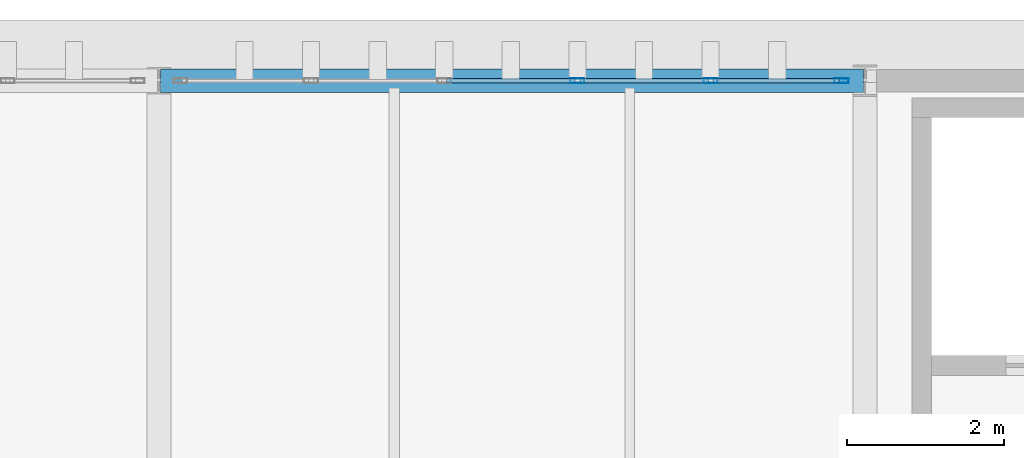
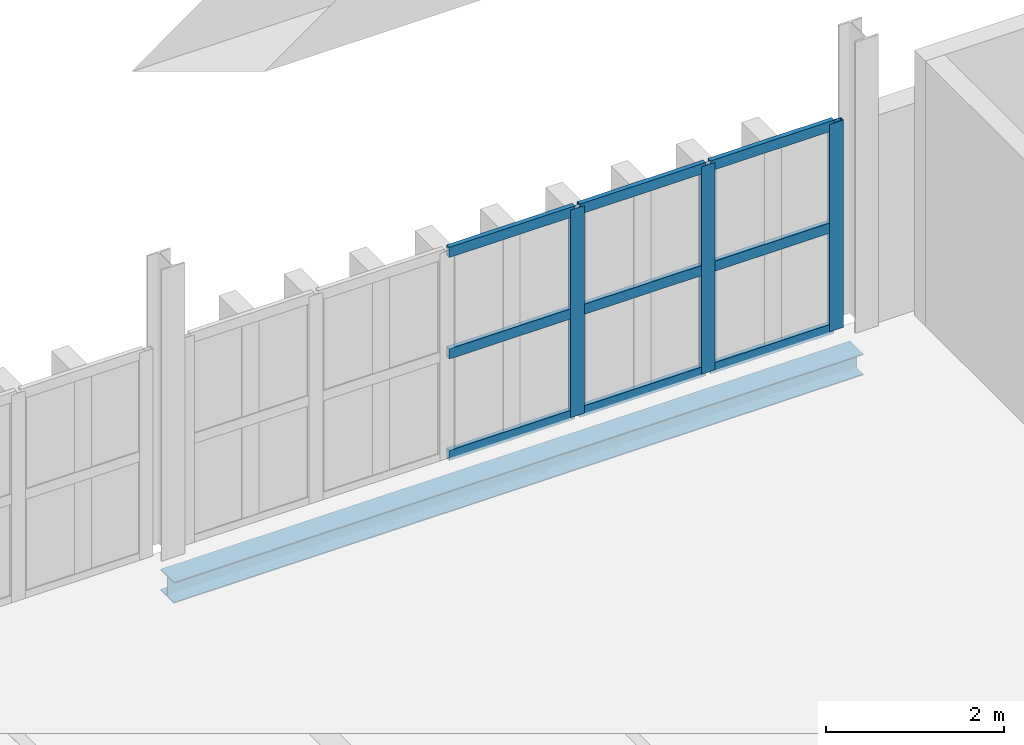
# One storey, part 73 of 102: 12 members, 1 beam, 1 element without a shape of its own.
"""IFC4 building model written with IfcOpenShell, lengths in metres."""

from ifc_helpers import new_model, si_unit, direction, frame, origin, origin_2d, place, context, subcontext, project, spatial, hollow_rectangle, i_section, extrude, material, layer, layer_set, material_profile, profile_set, type_object, element, aggregate, save


model = new_model("IFC4")

# Units and contexts
model_context = context("Model", 3, precision=1e-05, world=origin(), true_north=direction((0.0, 1.0)))
body_context = subcontext(model_context, "Body", "Model", "MODEL_VIEW")
ifc_project = project(units=[si_unit("LENGTHUNIT", "METRE"), si_unit("AREAUNIT", "SQUARE_METRE"), si_unit("VOLUMEUNIT", "CUBIC_METRE"), si_unit("PLANEANGLEUNIT", "RADIAN"), si_unit("MASSUNIT", "GRAM", prefix="KILO")], contexts=[model_context])

# Site, building, storey
site_placement = place(None, origin())
site = spatial("IfcSite", under=ifc_project, at=site_placement, CompositionType="ELEMENT")
building_placement = place(site_placement, origin())
building = spatial("IfcBuilding", under=site, at=building_placement, Name="Barlavento Convention Centre", CompositionType="ELEMENT")
storey_placement = place(building_placement, frame((0.0, 0.0, 22.800048828125)))
storey = spatial("IfcBuildingStorey", under=building, at=storey_placement, Name="L04", CompositionType="ELEMENT", Elevation=22.800048828125)

# Curtain wall, members
ifc_material_1 = material(Name="Powder-coated aluminium and Low-E glass", Category="aluminium")
ifc_layer = layer(ifc_material_1, 0.18505859375)
ifc_layer_set = layer_set([ifc_layer], Name="ARC-CW-CONF-L04")
curtain_wall_type = type_object("IfcCurtainWallType", Name="ARC-CW-CONF-L04", PredefinedType="NOTDEFINED", material=ifc_layer_set)
curtain_wall_placement = place(storey_placement, origin())
curtain_wall = element("IfcCurtainWall", 1, at=curtain_wall_placement, inside=storey, type_object=curtain_wall_type, Name="L04 unitised curtain wall CW09", PredefinedType="NOTDEFINED")
ifc_material_2 = material(Name="Powder-coated aluminium", Category="aluminium")
ifc_material_profile_1 = material_profile(ifc_material_2, hollow_rectangle(XDim=0.06005859375, YDim=0.179931640625, WallThickness=0.0048828125, at=origin_2d()), Name="AL-MULL 60x180x5")
ifc_profile_set_1 = profile_set([ifc_material_profile_1], Name="Powder-coated aluminium")
member_type_1 = type_object("IfcMemberType", Name="ARC-CWM-60X180", PredefinedType="MULLION", material=ifc_profile_set_1)
member_1_placement = place(storey_placement, frame((176.333984375, 99.0, 0.0), z_axis=(0.0, 0.0, 1.0), x_axis=(0.0, 1.0, 0.0)))
member_1 = element("IfcMember", 2, at=member_1_placement, type_object=member_type_1, Name="CW09 mullion 4", PredefinedType="MULLION", context=body_context, shape_type="SweptSolid", body=[
    extrude(hollow_rectangle(XDim=0.06005859375, YDim=0.179931640625, WallThickness=0.0048828125, at=origin_2d()), origin(), (0.0, 0.0, 1.0), 2.849853515625),
])
member_2_placement = place(storey_placement, frame((178.031982421875, 99.0, 0.0), z_axis=(0.0, 0.0, 1.0), x_axis=(0.0, 1.0, 0.0)))
member_2 = element("IfcMember", 3, at=member_2_placement, type_object=member_type_1, Name="CW09 mullion 5", PredefinedType="MULLION", context=body_context, shape_type="SweptSolid", body=[
    extrude(hollow_rectangle(XDim=0.06005859375, YDim=0.179931640625, WallThickness=0.0048828125, at=origin_2d()), origin(), (0.0, 0.0, 1.0), 2.849853515625),
])
member_3_placement = place(storey_placement, frame((179.699951171875, 99.0, 0.0), z_axis=(0.0, 0.0, 1.0), x_axis=(0.0, 1.0, 0.0)))
member_3 = element("IfcMember", 4, at=member_3_placement, type_object=member_type_1, Name="CW09 mullion 6", PredefinedType="MULLION", context=body_context, shape_type="SweptSolid", body=[
    extrude(hollow_rectangle(XDim=0.06005859375, YDim=0.179931640625, WallThickness=0.0048828125, at=origin_2d()), origin(), (0.0, 0.0, 1.0), 2.849853515625),
])
ifc_material_profile_2 = material_profile(ifc_material_2, hollow_rectangle(XDim=0.06005859375, YDim=0.139892578125, WallThickness=0.00390625, at=origin_2d()), Name="AL-TRAN 60x140x4")
ifc_profile_set_2 = profile_set([ifc_material_profile_2], Name="Powder-coated aluminium")
member_type_2 = type_object("IfcMemberType", Name="ARC-CWT-60X140", PredefinedType="USERDEFINED", material=ifc_profile_set_2)
member_4_placement = place(storey_placement, frame((174.666015625, 99.0, 0.030029296875), z_axis=(1.0, 0.0, 0.0), x_axis=(0.0, 1.0, 0.0)))
member_4 = element("IfcMember", 5, at=member_4_placement, type_object=member_type_2, Name="CW09 transom 3.1", ObjectType="TRANSOM", PredefinedType="USERDEFINED", context=body_context, shape_type="SweptSolid", body=[
    extrude(hollow_rectangle(XDim=0.06005859375, YDim=0.139892578125, WallThickness=0.00390625, at=origin_2d()), origin(), (0.0, 0.0, 1.0), 1.637939453125),
])
member_5_placement = place(storey_placement, frame((174.666015625, 99.0, 1.425048828125), z_axis=(1.0, 0.0, 0.0), x_axis=(0.0, 1.0, 0.0)))
member_5 = element("IfcMember", 6, at=member_5_placement, type_object=member_type_2, Name="CW09 transom 3.2", ObjectType="TRANSOM", PredefinedType="USERDEFINED", context=body_context, shape_type="SweptSolid", body=[
    extrude(hollow_rectangle(XDim=0.06005859375, YDim=0.139892578125, WallThickness=0.00390625, at=origin_2d()), origin(), (0.0, 0.0, 1.0), 1.637939453125),
])
member_6_placement = place(storey_placement, frame((174.666015625, 99.0, 2.820068359375), z_axis=(1.0, 0.0, 0.0), x_axis=(0.0, 1.0, 0.0)))
member_6 = element("IfcMember", 7, at=member_6_placement, type_object=member_type_2, Name="CW09 transom 3.3", ObjectType="TRANSOM", PredefinedType="USERDEFINED", context=body_context, shape_type="SweptSolid", body=[
    extrude(hollow_rectangle(XDim=0.06005859375, YDim=0.139892578125, WallThickness=0.00390625, at=origin_2d()), origin(), (0.0, 0.0, 1.0), 1.637939453125),
])
member_7_placement = place(storey_placement, frame((176.364013671875, 99.0, 0.030029296875), z_axis=(1.0, 0.0, 0.0), x_axis=(0.0, 1.0, 0.0)))
member_7 = element("IfcMember", 8, at=member_7_placement, type_object=member_type_2, Name="CW09 transom 4.1", ObjectType="TRANSOM", PredefinedType="USERDEFINED", context=body_context, shape_type="SweptSolid", body=[
    extrude(hollow_rectangle(XDim=0.06005859375, YDim=0.139892578125, WallThickness=0.00390625, at=origin_2d()), origin(), (0.0, 0.0, 1.0), 1.637939453125),
])
member_8_placement = place(storey_placement, frame((176.364013671875, 99.0, 1.425048828125), z_axis=(1.0, 0.0, 0.0), x_axis=(0.0, 1.0, 0.0)))
member_8 = element("IfcMember", 9, at=member_8_placement, type_object=member_type_2, Name="CW09 transom 4.2", ObjectType="TRANSOM", PredefinedType="USERDEFINED", context=body_context, shape_type="SweptSolid", body=[
    extrude(hollow_rectangle(XDim=0.06005859375, YDim=0.139892578125, WallThickness=0.00390625, at=origin_2d()), origin(), (0.0, 0.0, 1.0), 1.637939453125),
])
member_9_placement = place(storey_placement, frame((176.364013671875, 99.0, 2.820068359375), z_axis=(1.0, 0.0, 0.0), x_axis=(0.0, 1.0, 0.0)))
member_9 = element("IfcMember", 10, at=member_9_placement, type_object=member_type_2, Name="CW09 transom 4.3", ObjectType="TRANSOM", PredefinedType="USERDEFINED", context=body_context, shape_type="SweptSolid", body=[
    extrude(hollow_rectangle(XDim=0.06005859375, YDim=0.139892578125, WallThickness=0.00390625, at=origin_2d()), origin(), (0.0, 0.0, 1.0), 1.637939453125),
])
member_10_placement = place(storey_placement, frame((178.06201171875, 99.0, 0.030029296875), z_axis=(1.0, 0.0, 0.0), x_axis=(0.0, 1.0, 0.0)))
member_10 = element("IfcMember", 11, at=member_10_placement, type_object=member_type_2, Name="CW09 transom 5.1", ObjectType="TRANSOM", PredefinedType="USERDEFINED", context=body_context, shape_type="SweptSolid", body=[
    extrude(hollow_rectangle(XDim=0.06005859375, YDim=0.139892578125, WallThickness=0.00390625, at=origin_2d()), origin(), (0.0, 0.0, 1.0), 1.60791015625),
])
member_11_placement = place(storey_placement, frame((178.06201171875, 99.0, 1.425048828125), z_axis=(1.0, 0.0, 0.0), x_axis=(0.0, 1.0, 0.0)))
member_11 = element("IfcMember", 12, at=member_11_placement, type_object=member_type_2, Name="CW09 transom 5.2", ObjectType="TRANSOM", PredefinedType="USERDEFINED", context=body_context, shape_type="SweptSolid", body=[
    extrude(hollow_rectangle(XDim=0.06005859375, YDim=0.139892578125, WallThickness=0.00390625, at=origin_2d()), origin(), (0.0, 0.0, 1.0), 1.60791015625),
])
member_12_placement = place(storey_placement, frame((178.06201171875, 99.0, 2.820068359375), z_axis=(1.0, 0.0, 0.0), x_axis=(0.0, 1.0, 0.0)))
member_12 = element("IfcMember", 13, at=member_12_placement, type_object=member_type_2, Name="CW09 transom 5.3", ObjectType="TRANSOM", PredefinedType="USERDEFINED", context=body_context, shape_type="SweptSolid", body=[
    extrude(hollow_rectangle(XDim=0.06005859375, YDim=0.139892578125, WallThickness=0.00390625, at=origin_2d()), origin(), (0.0, 0.0, 1.0), 1.60791015625),
])
aggregate(curtain_wall, [member_1, member_2, member_3, member_4, member_5, member_6, member_7, member_8, member_9, member_10, member_11, member_12])

# Beam
ifc_material_3 = material(Name="Steel S355", Category="steel")
ifc_material_profile_3 = material_profile(ifc_material_3, i_section(OverallWidth=0.300048828125, OverallDepth=0.2900390625, WebThickness=0.008544921875, FlangeThickness=0.013916015625, FilletRadius=0.027099609375, at=origin_2d()), Name="HEA 300")
ifc_profile_set_3 = profile_set([ifc_material_profile_3], Name="Steel S355")
beam_type = type_object("IfcBeamType", Name="STR-BM-SPN-HEA300", PredefinedType="SPANDREL", material=ifc_profile_set_3)
beam_placement = place(storey_placement, frame((171.02001953125, 99.0, -0.505126953125), z_axis=(1.0, 0.0, 0.0), x_axis=(0.0, 1.0, 0.0)))
element("IfcBeam", 14, at=beam_placement, inside=storey, type_object=beam_type, Name="L04 primary girder SP02", PredefinedType="SPANDREL", context=body_context, shape_type="SweptSolid", body=[
    extrude(i_section(OverallWidth=0.300048828125, OverallDepth=0.2900390625, WebThickness=0.008544921875, FlangeThickness=0.013916015625, FilletRadius=0.027099609375, at=origin_2d()), origin(), (0.0, 0.0, 1.0), 8.9599609375),
])

save(model, "model.ifc")
